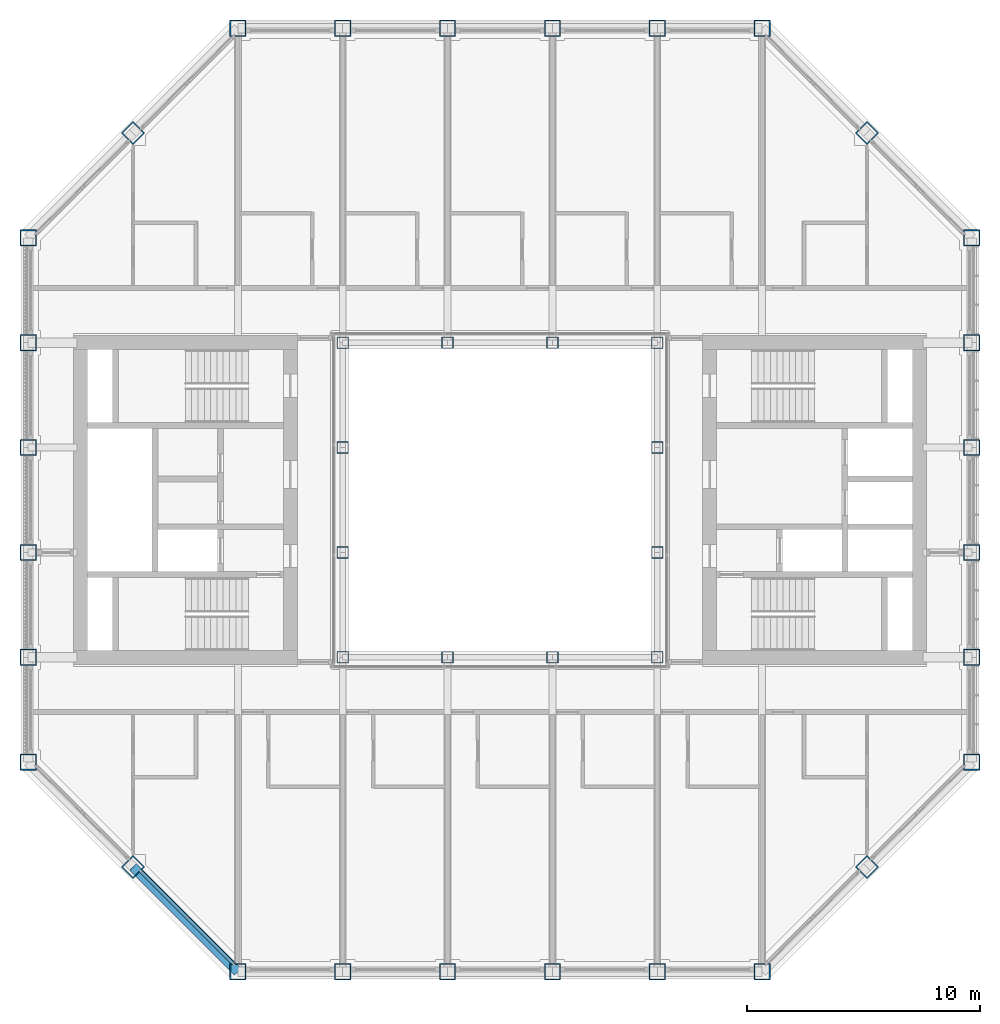
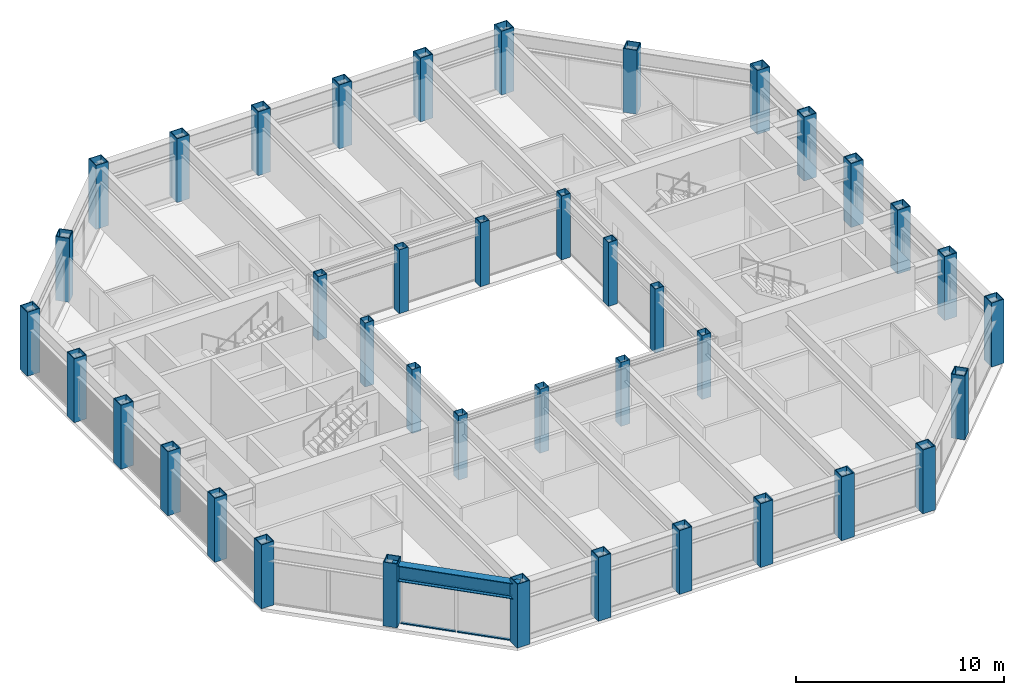
# One storey, part 1 of 18: 40 columns, 4 members, 1 beam, 1 element without a shape of its own.
"""IFC4 building model written with IfcOpenShell, lengths in metres."""

from ifc_helpers import new_model, si_unit, direction, frame, origin, origin_2d, place, context, subcontext, project, spatial, rectangle, hollow_rectangle, i_section, extrude, material, material_profile, profile_set, type_object, element, aggregate, save


model = new_model("IFC4")

# Units and contexts
model_context = context("Model", 3, precision=1e-05, world=origin(), true_north=direction((0.0, 1.0)))
body_context = subcontext(model_context, "Body", "Model", "MODEL_VIEW")
ifc_project = project(units=[si_unit("LENGTHUNIT", "METRE"), si_unit("AREAUNIT", "SQUARE_METRE"), si_unit("VOLUMEUNIT", "CUBIC_METRE"), si_unit("PLANEANGLEUNIT", "RADIAN"), si_unit("MASSUNIT", "GRAM", prefix="KILO")], contexts=[model_context])

# Site, building, storey
site_placement = place(None, origin())
site = spatial("IfcSite", under=ifc_project, at=site_placement, CompositionType="ELEMENT")
building_placement = place(site_placement, origin())
building = spatial("IfcBuilding", under=site, at=building_placement, Name="Msasa Ring Tower", CompositionType="ELEMENT")
storey_placement = place(building_placement, frame((0.0, 0.0, 208.300048828125)))
storey = spatial("IfcBuildingStorey", under=building, at=storey_placement, Name="L54", CompositionType="ELEMENT", Elevation=208.300048828125)

# Columns
ifc_material_1 = material(Name="Steel S355", Category="steel")
ifc_material_profile_1 = material_profile(ifc_material_1, hollow_rectangle(XDim=0.5, YDim=0.5, WallThickness=0.030029296875, at=origin_2d()), Name="BOX 500x500x30")
ifc_profile_set_1 = profile_set([ifc_material_profile_1], Name="Steel S355")
column_type_1 = type_object("IfcColumnType", Name="IC6 BOX 500x500x30", PredefinedType="COLUMN", material=ifc_profile_set_1)
for number, where, z_axis, x_axis, name in (
    (1, (-6.75, -6.75, 0.0), (0.0, 0.0, 1.0), (1.0, 0.0, 0.0), "Inner ring column IR-6.75-6.75 L54"),
    (2, (-6.75, -2.25, 0.0), (0.0, 0.0, 1.0), (1.0, 0.0, 0.0), "Inner ring column IR-6.75-2.25 L54"),
    (3, (-6.75, 2.25, 0.0), (0.0, 0.0, 1.0), (1.0, 0.0, 0.0), "Inner ring column IR-6.75+2.25 L54"),
    (4, (-6.75, 6.75, 0.0), (0.0, 0.0, 1.0), (1.0, 0.0, 0.0), "Inner ring column IR-6.75+6.75 L54"),
    (5, (-2.25, -6.75, 0.0), (0.0, 0.0, 1.0), (1.0, 0.0, 0.0), "Inner ring column IR-2.25-6.75 L54"),
    (6, (-2.25, 6.75, 0.0), (0.0, 0.0, 1.0), (1.0, 0.0, 0.0), "Inner ring column IR-2.25+6.75 L54"),
    (7, (2.25, -6.75, 0.0), (0.0, 0.0, 1.0), (1.0, 0.0, 0.0), "Inner ring column IR+2.25-6.75 L54"),
    (8, (2.25, 6.75, 0.0), (0.0, 0.0, 1.0), (1.0, 0.0, 0.0), "Inner ring column IR+2.25+6.75 L54"),
    (9, (6.75, -6.75, 0.0), (0.0, 0.0, 1.0), (1.0, 0.0, 0.0), "Inner ring column IR+6.75-6.75 L54"),
    (10, (6.75, -2.25, 0.0), (0.0, 0.0, 1.0), (1.0, 0.0, 0.0), "Inner ring column IR+6.75-2.25 L54"),
    (11, (6.75, 2.25, 0.0), (0.0, 0.0, 1.0), (1.0, 0.0, 0.0), "Inner ring column IR+6.75+2.25 L54"),
    (12, (6.75, 6.75, 0.0), (0.0, 0.0, 1.0), (1.0, 0.0, 0.0), "Inner ring column IR+6.75+6.75 L54"),
):
    element("IfcColumn", number, at=place(storey_placement, frame(where, z_axis=z_axis, x_axis=x_axis)), inside=storey, type_object=column_type_1, Name=name, PredefinedType="COLUMN", context=body_context, shape_type="SweptSolid", body=[
        extrude(hollow_rectangle(XDim=0.5, YDim=0.5, WallThickness=0.030029296875, at=origin_2d()), origin(), (0.0, 0.0, 1.0), 3.75),
    ])
ifc_material_2 = material(Name="Steel S355", Category="steel")
ifc_material_profile_2 = material_profile(ifc_material_2, hollow_rectangle(XDim=0.699951171875, YDim=0.699951171875, WallThickness=0.044921875, at=origin_2d()), Name="BOX 700x700x45")
ifc_profile_set_2 = profile_set([ifc_material_profile_2], Name="Steel S355")
column_type_2 = type_object("IfcColumnType", Name="TC6 BOX 700x700x45", PredefinedType="COLUMN", material=ifc_profile_set_2)
for number, where, z_axis, x_axis, name in (
    (13, (-11.25, -20.25, 0.0), (0.0, 0.0, 1.0), (0.0, 1.0, 0.0), "Tube column S-11.25 L54"),
    (14, (-11.25, 20.25, 0.0), (0.0, 0.0, 1.0), (0.0, 1.0, 0.0), "Tube column N-11.25 L54"),
    (15, (20.25, -11.25, 0.0), (0.0, 0.0, 1.0), (1.0, 0.0, 0.0), "Tube column E-11.25 L54"),
    (16, (-20.25, -11.25, 0.0), (0.0, 0.0, 1.0), (1.0, 0.0, 0.0), "Tube column W-11.25 L54"),
    (17, (-6.75, -20.25, 0.0), (0.0, 0.0, 1.0), (0.0, 1.0, 0.0), "Tube column S-6.75 L54"),
    (18, (-6.75, 20.25, 0.0), (0.0, 0.0, 1.0), (0.0, 1.0, 0.0), "Tube column N-6.75 L54"),
    (19, (20.25, -6.75, 0.0), (0.0, 0.0, 1.0), (1.0, 0.0, 0.0), "Tube column E-6.75 L54"),
    (20, (-20.25, -6.75, 0.0), (0.0, 0.0, 1.0), (1.0, 0.0, 0.0), "Tube column W-6.75 L54"),
    (21, (-2.25, -20.25, 0.0), (0.0, 0.0, 1.0), (0.0, 1.0, 0.0), "Tube column S-2.25 L54"),
    (22, (-2.25, 20.25, 0.0), (0.0, 0.0, 1.0), (0.0, 1.0, 0.0), "Tube column N-2.25 L54"),
    (23, (20.25, -2.25, 0.0), (0.0, 0.0, 1.0), (1.0, 0.0, 0.0), "Tube column E-2.25 L54"),
    (24, (-20.25, -2.25, 0.0), (0.0, 0.0, 1.0), (1.0, 0.0, 0.0), "Tube column W-2.25 L54"),
    (25, (2.25, -20.25, 0.0), (0.0, 0.0, 1.0), (0.0, 1.0, 0.0), "Tube column S+2.25 L54"),
    (26, (2.25, 20.25, 0.0), (0.0, 0.0, 1.0), (0.0, 1.0, 0.0), "Tube column N+2.25 L54"),
    (27, (20.25, 2.25, 0.0), (0.0, 0.0, 1.0), (1.0, 0.0, 0.0), "Tube column E+2.25 L54"),
    (28, (-20.25, 2.25, 0.0), (0.0, 0.0, 1.0), (1.0, 0.0, 0.0), "Tube column W+2.25 L54"),
    (29, (6.75, -20.25, 0.0), (0.0, 0.0, 1.0), (0.0, 1.0, 0.0), "Tube column S+6.75 L54"),
    (30, (6.75, 20.25, 0.0), (0.0, 0.0, 1.0), (0.0, 1.0, 0.0), "Tube column N+6.75 L54"),
    (31, (20.25, 6.75, 0.0), (0.0, 0.0, 1.0), (1.0, 0.0, 0.0), "Tube column E+6.75 L54"),
    (32, (-20.25, 6.75, 0.0), (0.0, 0.0, 1.0), (1.0, 0.0, 0.0), "Tube column W+6.75 L54"),
    (33, (11.25, -20.25, 0.0), (0.0, 0.0, 1.0), (0.0, 1.0, 0.0), "Tube column S+11.25 L54"),
    (34, (11.25, 20.25, 0.0), (0.0, 0.0, 1.0), (0.0, 1.0, 0.0), "Tube column N+11.25 L54"),
    (35, (20.25, 11.25, 0.0), (0.0, 0.0, 1.0), (1.0, 0.0, 0.0), "Tube column E+11.25 L54"),
    (36, (-20.25, 11.25, 0.0), (0.0, 0.0, 1.0), (1.0, 0.0, 0.0), "Tube column W+11.25 L54"),
    (37, (15.75, -15.75, 0.0), (0.0, 0.0, 1.0), (0.707106781187, -0.707106781187, 0.0), "Tube column SE L54"),
    (38, (15.75, 15.75, 0.0), (0.0, 0.0, 1.0), (0.707106781187, 0.707106781187, 0.0), "Tube column NE L54"),
    (39, (-15.75, 15.75, 0.0), (0.0, 0.0, 1.0), (0.707106781187, -0.707106781187, 0.0), "Tube column NW L54"),
    (40, (-15.75, -15.75, 0.0), (0.0, 0.0, 1.0), (0.707106781187, 0.707106781187, 0.0), "Tube column SW L54"),
):
    element("IfcColumn", number, at=place(storey_placement, frame(where, z_axis=z_axis, x_axis=x_axis)), inside=storey, type_object=column_type_2, Name=name, PredefinedType="COLUMN", context=body_context, shape_type="SweptSolid", body=[
        extrude(hollow_rectangle(XDim=0.699951171875, YDim=0.699951171875, WallThickness=0.044921875, at=origin_2d()), origin(), (0.0, 0.0, 1.0), 3.75),
    ])

# Curtain wall, members
ifc_material_3 = material(Name="Aluminium curtain wall with clear glass", Category="aluminium")
curtain_wall_type = type_object("IfcCurtainWallType", Name="CW-C CHAMFER CORNER CURTAIN WALL", PredefinedType="NOTDEFINED", material=ifc_material_3)
curtain_wall_placement = place(storey_placement, origin())
curtain_wall = element("IfcCurtainWall", 41, at=curtain_wall_placement, inside=storey, type_object=curtain_wall_type, Name="Chamfer corner curtain wall SW L54", PredefinedType="NOTDEFINED")
ifc_material_4 = material(Name="Aluminium transom", Category="aluminium")
ifc_material_profile_3 = material_profile(ifc_material_4, rectangle(XDim=0.139892578125, YDim=0.06494140625, at=origin_2d()), Name="AL 65x140")
ifc_profile_set_3 = profile_set([ifc_material_profile_3], Name="Aluminium transom")
member_type = type_object("IfcMemberType", Name="CW-C TRANSOM 65x140", PredefinedType="USERDEFINED", material=ifc_profile_set_3)
member_1_placement = place(storey_placement, frame((-15.38232421875, -15.976318359375, 0.032470703125), z_axis=(0.707106781187, -0.707106781187, 0.0), x_axis=(0.707106781187, 0.707106781187, 0.0)))
member_1 = element("IfcMember", 42, at=member_1_placement, type_object=member_type, Name="CW-C transom 1.1", ObjectType="TRANSOM", PredefinedType="USERDEFINED", context=body_context, shape_type="SweptSolid", body=[
    extrude(rectangle(XDim=0.139892578125, YDim=0.06494140625, at=origin_2d()), origin(), (0.0, 0.0, 1.0), 2.729248046875),
])
member_2_placement = place(storey_placement, frame((-15.38232421875, -15.976318359375, 2.596435546875), z_axis=(0.707106781187, -0.707106781187, 0.0), x_axis=(0.707106781187, 0.707106781187, 0.0)))
member_2 = element("IfcMember", 43, at=member_2_placement, type_object=member_type, Name="CW-C transom 1.2", ObjectType="TRANSOM", PredefinedType="USERDEFINED", context=body_context, shape_type="SweptSolid", body=[
    extrude(rectangle(XDim=0.139892578125, YDim=0.06494140625, at=origin_2d()), origin(), (0.0, 0.0, 1.0), 2.729248046875),
])
member_3_placement = place(storey_placement, frame((-13.40625, -17.952392578125, 0.032470703125), z_axis=(0.707106781187, -0.707106781187, 0.0), x_axis=(0.707106781187, 0.707106781187, 0.0)))
member_3 = element("IfcMember", 44, at=member_3_placement, type_object=member_type, Name="CW-C transom 2.1", ObjectType="TRANSOM", PredefinedType="USERDEFINED", context=body_context, shape_type="SweptSolid", body=[
    extrude(rectangle(XDim=0.139892578125, YDim=0.06494140625, at=origin_2d()), origin(), (0.0, 0.0, 1.0), 2.729248046875),
])
member_4_placement = place(storey_placement, frame((-13.40625, -17.952392578125, 2.596435546875), z_axis=(0.707106781187, -0.707106781187, 0.0), x_axis=(0.707106781187, 0.707106781187, 0.0)))
member_4 = element("IfcMember", 45, at=member_4_placement, type_object=member_type, Name="CW-C transom 2.2", ObjectType="TRANSOM", PredefinedType="USERDEFINED", context=body_context, shape_type="SweptSolid", body=[
    extrude(rectangle(XDim=0.139892578125, YDim=0.06494140625, at=origin_2d()), origin(), (0.0, 0.0, 1.0), 2.729248046875),
])
aggregate(curtain_wall, [member_1, member_2, member_3, member_4])

# Beam
ifc_material_5 = material(Name="Steel S355", Category="steel")
ifc_material_profile_4 = material_profile(ifc_material_5, i_section(OverallWidth=0.42041015625, OverallDepth=0.9208984375, WebThickness=0.021484375, FlangeThickness=0.03662109375, FilletRadius=0.024169921875, at=origin_2d()), Name="UB 914x419x388")
ifc_profile_set_4 = profile_set([ifc_material_profile_4], Name="Steel S355")
beam_type = type_object("IfcBeamType", Name="SB1 UB 914x419x388", PredefinedType="SPANDREL", material=ifc_profile_set_4)
beam_placement = place(storey_placement, frame((-15.75, -15.75, 3.08935546875), z_axis=(0.707106781187, -0.707106781187, 0.0), x_axis=(0.707106781187, 0.707106781187, 0.0)))
element("IfcBeam", 46, at=beam_placement, inside=storey, type_object=beam_type, Name="Spandrel SW to S-11.25 under L55", PredefinedType="SPANDREL", context=body_context, shape_type="SweptSolid", body=[
    extrude(i_section(OverallWidth=0.42041015625, OverallDepth=0.9208984375, WebThickness=0.021484375, FlangeThickness=0.03662109375, FilletRadius=0.024169921875, at=origin_2d()), origin(), (0.0, 0.0, 1.0), 6.364013671875),
])

save(model, "model.ifc")
